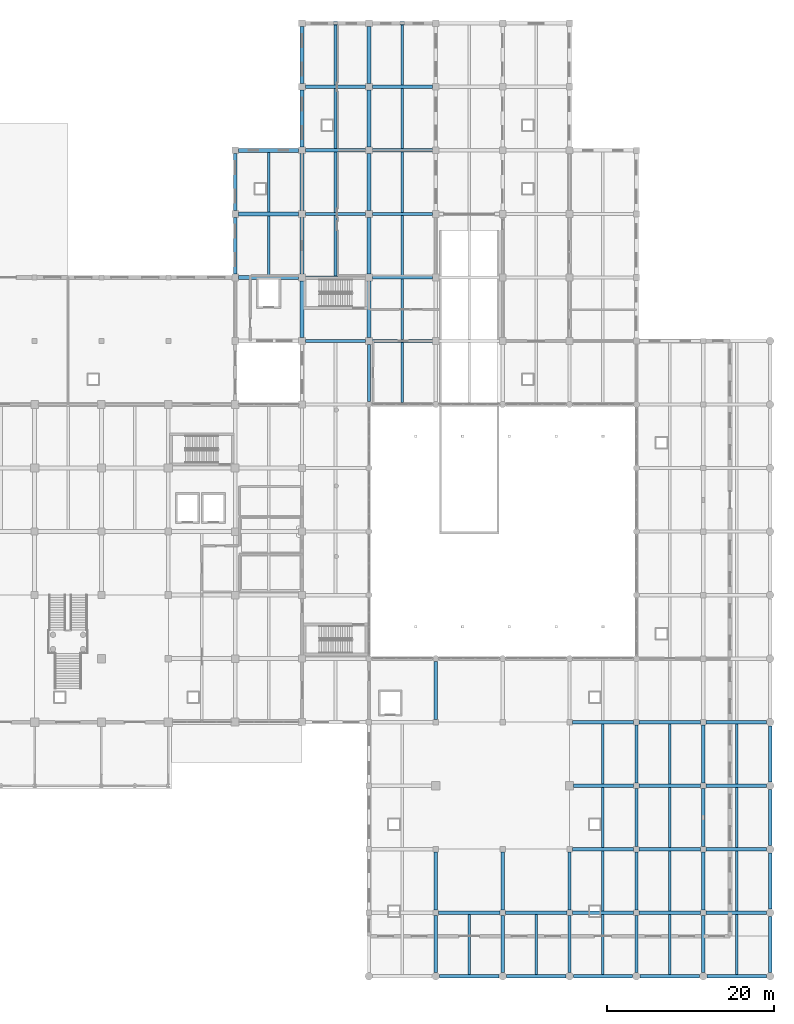
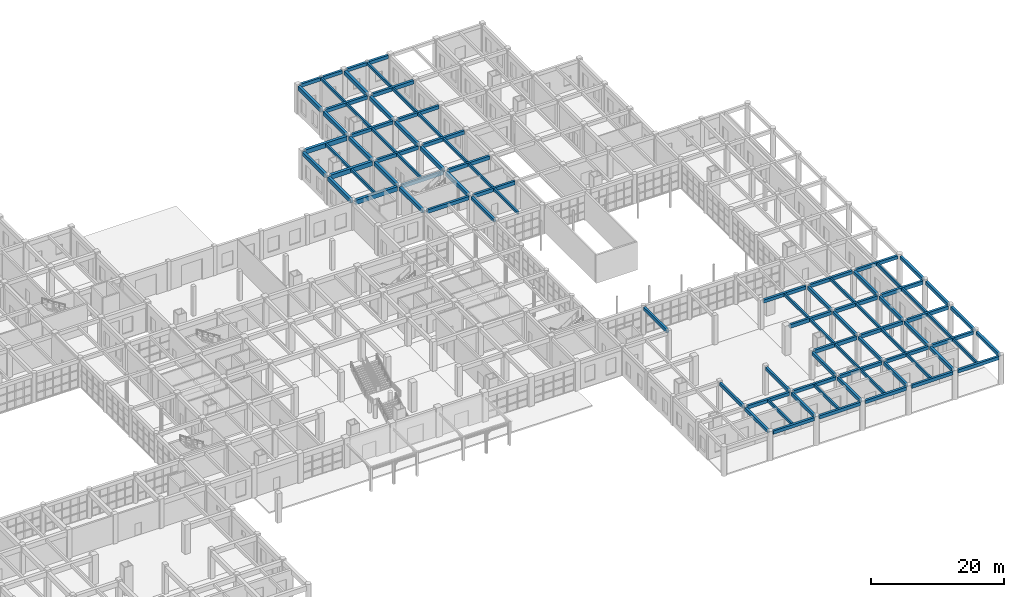
# One storey, part 48 of 95: 92 beams.
"""IFC4 building model written with IfcOpenShell, lengths in metres."""

from ifc_helpers import new_model, si_unit, direction, frame, origin, origin_2d, place, context, subcontext, project, spatial, rectangle, extrude, material, material_profile, profile_set, type_object, element, save


model = new_model("IFC4")

# Units and contexts
model_context = context("Model", 3, precision=1e-05, world=origin(), true_north=direction((0.0, 1.0)))
body_context = subcontext(model_context, "Body", "Model", "MODEL_VIEW")
ifc_project = project(units=[si_unit("LENGTHUNIT", "METRE"), si_unit("AREAUNIT", "SQUARE_METRE"), si_unit("VOLUMEUNIT", "CUBIC_METRE"), si_unit("PLANEANGLEUNIT", "RADIAN"), si_unit("MASSUNIT", "GRAM", prefix="KILO")], contexts=[model_context])

# Site, building, storey
site_placement = place(None, origin())
site = spatial("IfcSite", under=ifc_project, at=site_placement, CompositionType="ELEMENT")
building_placement = place(site_placement, origin())
building = spatial("IfcBuilding", under=site, at=building_placement, Name="Zantavel Square City Hall", CompositionType="ELEMENT")
storey_placement = place(building_placement, origin())
storey = spatial("IfcBuildingStorey", under=building, at=storey_placement, Name="L01", CompositionType="ELEMENT", Elevation=0.0)

# Beams
ifc_material = material(Name="Concrete C35/45", Category="concrete")
ifc_material_profile_1 = material_profile(ifc_material, rectangle(XDim=0.3798828125, YDim=0.580078125, at=origin_2d()), Name="RC 380x580")
ifc_profile_set_1 = profile_set([ifc_material_profile_1], Name="Concrete C35/45")
beam_type_1 = type_object("IfcBeamType", Name="Annex Secondary Beam RC 380x580 C35/45", PredefinedType="BEAM", material=ifc_profile_set_1)
beam_1_placement = place(storey_placement, frame((120.0, 68.77490234375, 4.8701171875), z_axis=(0.0, 1.0, 0.0), x_axis=(-1.0, 0.0, 0.0)))
element("IfcBeam", 1, at=beam_1_placement, inside=storey, type_object=beam_type_1, Name="L01 Beam BMY-L01-1200-0684", PredefinedType="BEAM", context=body_context, shape_type="SweptSolid", body=[
    extrude(rectangle(XDim=0.3798828125, YDim=0.580078125, at=origin_2d()), origin(), (0.0, 0.0, 1.0), 6.8251953125),
])
beam_2_placement = place(storey_placement, frame((128.0, 0.449951171875, 4.860107421875), z_axis=(0.0, 1.0, 0.0), x_axis=(-1.0, 0.0, 0.0)))
element("IfcBeam", 2, at=beam_2_placement, inside=storey, type_object=beam_type_1, Name="L01 Beam BMY-L01-1280-0000", PredefinedType="BEAM", context=body_context, shape_type="SweptSolid", body=[
    extrude(rectangle(XDim=0.3798828125, YDim=0.580078125, at=origin_2d()), origin(), (0.0, 0.0, 1.0), 6.824951171875),
])
beam_3_placement = place(storey_placement, frame((128.0, 7.925048828125, 4.8701171875), z_axis=(0.0, 1.0, 0.0), x_axis=(-1.0, 0.0, 0.0)))
element("IfcBeam", 3, at=beam_3_placement, inside=storey, type_object=beam_type_1, Name="L01 Beam BMY-L01-1280-0076", PredefinedType="BEAM", context=body_context, shape_type="SweptSolid", body=[
    extrude(rectangle(XDim=0.3798828125, YDim=0.580078125, at=origin_2d()), origin(), (0.0, 0.0, 1.0), 6.949951171875),
])
beam_4_placement = place(storey_placement, frame((128.0, 30.72509765625, 4.8701171875), z_axis=(0.0, 1.0, 0.0), x_axis=(-1.0, 0.0, 0.0)))
element("IfcBeam", 4, at=beam_4_placement, inside=storey, type_object=beam_type_1, Name="L01 Beam BMY-L01-1280-0304", PredefinedType="BEAM", context=body_context, shape_type="SweptSolid", body=[
    extrude(rectangle(XDim=0.3798828125, YDim=0.580078125, at=origin_2d()), origin(), (0.0, 0.0, 1.0), 6.89990234375),
])
beam_5_placement = place(storey_placement, frame((136.0, 0.449951171875, 4.860107421875), z_axis=(0.0, 1.0, 0.0), x_axis=(-1.0, 0.0, 0.0)))
element("IfcBeam", 5, at=beam_5_placement, inside=storey, type_object=beam_type_1, Name="L01 Beam BMY-L01-1360-0000", PredefinedType="BEAM", context=body_context, shape_type="SweptSolid", body=[
    extrude(rectangle(XDim=0.3798828125, YDim=0.580078125, at=origin_2d()), origin(), (0.0, 0.0, 1.0), 6.824951171875),
])
beam_6_placement = place(storey_placement, frame((136.0, 7.925048828125, 4.8701171875), z_axis=(0.0, 1.0, 0.0), x_axis=(-1.0, 0.0, 0.0)))
element("IfcBeam", 6, at=beam_6_placement, inside=storey, type_object=beam_type_1, Name="L01 Beam BMY-L01-1360-0076", PredefinedType="BEAM", context=body_context, shape_type="SweptSolid", body=[
    extrude(rectangle(XDim=0.3798828125, YDim=0.580078125, at=origin_2d()), origin(), (0.0, 0.0, 1.0), 6.949951171875),
])
beam_7_placement = place(storey_placement, frame((144.0, 0.449951171875, 4.860107421875), z_axis=(0.0, 1.0, 0.0), x_axis=(-1.0, 0.0, 0.0)))
element("IfcBeam", 7, at=beam_7_placement, inside=storey, type_object=beam_type_1, Name="L01 Beam BMY-L01-1440-0000", PredefinedType="BEAM", context=body_context, shape_type="SweptSolid", body=[
    extrude(rectangle(XDim=0.3798828125, YDim=0.580078125, at=origin_2d()), origin(), (0.0, 0.0, 1.0), 6.824951171875),
])
beam_8_placement = place(storey_placement, frame((144.0, 7.925048828125, 4.8701171875), z_axis=(0.0, 1.0, 0.0), x_axis=(-1.0, 0.0, 0.0)))
element("IfcBeam", 8, at=beam_8_placement, inside=storey, type_object=beam_type_1, Name="L01 Beam BMY-L01-1440-0076", PredefinedType="BEAM", context=body_context, shape_type="SweptSolid", body=[
    extrude(rectangle(XDim=0.3798828125, YDim=0.580078125, at=origin_2d()), origin(), (0.0, 0.0, 1.0), 6.949951171875),
])
beam_9_placement = place(storey_placement, frame((152.0, 0.449951171875, 4.860107421875), z_axis=(0.0, 1.0, 0.0), x_axis=(-1.0, 0.0, 0.0)))
element("IfcBeam", 9, at=beam_9_placement, inside=storey, type_object=beam_type_1, Name="L01 Beam BMY-L01-1520-0000", PredefinedType="BEAM", context=body_context, shape_type="SweptSolid", body=[
    extrude(rectangle(XDim=0.3798828125, YDim=0.580078125, at=origin_2d()), origin(), (0.0, 0.0, 1.0), 6.824951171875),
])
beam_10_placement = place(storey_placement, frame((152.0, 7.925048828125, 4.8701171875), z_axis=(0.0, 1.0, 0.0), x_axis=(-1.0, 0.0, 0.0)))
element("IfcBeam", 10, at=beam_10_placement, inside=storey, type_object=beam_type_1, Name="L01 Beam BMY-L01-1520-0076", PredefinedType="BEAM", context=body_context, shape_type="SweptSolid", body=[
    extrude(rectangle(XDim=0.3798828125, YDim=0.580078125, at=origin_2d()), origin(), (0.0, 0.0, 1.0), 6.949951171875),
])
beam_11_placement = place(storey_placement, frame((152.0, 15.52490234375, 4.8701171875), z_axis=(0.0, 1.0, 0.0), x_axis=(-1.0, 0.0, 0.0)))
element("IfcBeam", 11, at=beam_11_placement, inside=storey, type_object=beam_type_1, Name="L01 Beam BMY-L01-1520-0152", PredefinedType="BEAM", context=body_context, shape_type="SweptSolid", body=[
    extrude(rectangle(XDim=0.3798828125, YDim=0.580078125, at=origin_2d()), origin(), (0.0, 0.0, 1.0), 6.9501953125),
])
beam_12_placement = place(storey_placement, frame((152.0, 23.125, 4.8701171875), z_axis=(0.0, 1.0, 0.0), x_axis=(-1.0, 0.0, 0.0)))
element("IfcBeam", 12, at=beam_12_placement, inside=storey, type_object=beam_type_1, Name="L01 Beam BMY-L01-1520-0228", PredefinedType="BEAM", context=body_context, shape_type="SweptSolid", body=[
    extrude(rectangle(XDim=0.3798828125, YDim=0.580078125, at=origin_2d()), origin(), (0.0, 0.0, 1.0), 6.949951171875),
])
ifc_material_profile_2 = material_profile(ifc_material, rectangle(XDim=0.300048828125, YDim=0.5, at=origin_2d()), Name="RC 300x500")
ifc_profile_set_2 = profile_set([ifc_material_profile_2], Name="Concrete C35/45")
beam_type_2 = type_object("IfcBeamType", Name="Floor Joist RC 300x500 C35/45", PredefinedType="JOIST", material=ifc_profile_set_2)
beam_13_placement = place(storey_placement, frame((108.0, 83.85009765625, 4.909912109375), z_axis=(0.0, 1.0, 0.0), x_axis=(-1.0, 0.0, 0.0)))
element("IfcBeam", 13, at=beam_13_placement, inside=storey, type_object=beam_type_2, Name="L01 Floor Joist JST-L01-1080-0836", PredefinedType="JOIST", context=body_context, shape_type="SweptSolid", body=[
    extrude(rectangle(XDim=0.300048828125, YDim=0.5, at=origin_2d()), origin(), (0.0, 0.0, 1.0), 7.099853515625),
])
beam_14_placement = place(storey_placement, frame((108.0, 91.449951171875, 4.909912109375), z_axis=(0.0, 1.0, 0.0), x_axis=(-1.0, 0.0, 0.0)))
element("IfcBeam", 14, at=beam_14_placement, inside=storey, type_object=beam_type_2, Name="L01 Floor Joist JST-L01-1080-0912", PredefinedType="JOIST", context=body_context, shape_type="SweptSolid", body=[
    extrude(rectangle(XDim=0.300048828125, YDim=0.5, at=origin_2d()), origin(), (0.0, 0.0, 1.0), 7.10009765625),
])
beam_15_placement = place(storey_placement, frame((116.0, 83.800048828125, 4.909912109375), z_axis=(0.0, 1.0, 0.0), x_axis=(-1.0, 0.0, 0.0)))
element("IfcBeam", 15, at=beam_15_placement, inside=storey, type_object=beam_type_2, Name="L01 Floor Joist JST-L01-1160-0836", PredefinedType="JOIST", context=body_context, shape_type="SweptSolid", body=[
    extrude(rectangle(XDim=0.300048828125, YDim=0.5, at=origin_2d()), origin(), (0.0, 0.0, 1.0), 7.199951171875),
])
beam_16_placement = place(storey_placement, frame((116.0, 91.39990234375, 4.909912109375), z_axis=(0.0, 1.0, 0.0), x_axis=(-1.0, 0.0, 0.0)))
element("IfcBeam", 16, at=beam_16_placement, inside=storey, type_object=beam_type_2, Name="L01 Floor Joist JST-L01-1160-0912", PredefinedType="JOIST", context=body_context, shape_type="SweptSolid", body=[
    extrude(rectangle(XDim=0.300048828125, YDim=0.5, at=origin_2d()), origin(), (0.0, 0.0, 1.0), 7.2001953125),
])
for number, where, z_axis, x_axis, name in (
    (17, (116.0, 99.0, 4.909912109375), (0.0, 1.0, 0.0), (-1.0, 0.0, 0.0), "L01 Floor Joist JST-L01-1160-0988"),
    (18, (116.0, 106.60009765625, 4.909912109375), (0.0, 1.0, 0.0), (-1.0, 0.0, 0.0), "L01 Floor Joist JST-L01-1160-1064"),
):
    element("IfcBeam", number, at=place(storey_placement, frame(where, z_axis=z_axis, x_axis=x_axis)), inside=storey, type_object=beam_type_2, Name=name, PredefinedType="JOIST", context=body_context, shape_type="SweptSolid", body=[
        extrude(rectangle(XDim=0.300048828125, YDim=0.5, at=origin_2d()), origin(), (0.0, 0.0, 1.0), 7.199951171875),
    ])
beam_17_placement = place(storey_placement, frame((124.0, 68.625, 4.909912109375), z_axis=(0.0, 1.0, 0.0), x_axis=(-1.0, 0.0, 0.0)))
element("IfcBeam", 19, at=beam_17_placement, inside=storey, type_object=beam_type_2, Name="L01 Floor Joist JST-L01-1240-0684", PredefinedType="JOIST", context=body_context, shape_type="SweptSolid", body=[
    extrude(rectangle(XDim=0.300048828125, YDim=0.5, at=origin_2d()), origin(), (0.0, 0.0, 1.0), 7.175048828125),
])
for number, where, z_axis, x_axis, name in (
    (20, (124.0, 76.199951171875, 4.909912109375), (0.0, 1.0, 0.0), (-1.0, 0.0, 0.0), "L01 Floor Joist JST-L01-1240-0760"),
    (21, (124.0, 83.800048828125, 4.909912109375), (0.0, 1.0, 0.0), (-1.0, 0.0, 0.0), "L01 Floor Joist JST-L01-1240-0836"),
):
    element("IfcBeam", number, at=place(storey_placement, frame(where, z_axis=z_axis, x_axis=x_axis)), inside=storey, type_object=beam_type_2, Name=name, PredefinedType="JOIST", context=body_context, shape_type="SweptSolid", body=[
        extrude(rectangle(XDim=0.300048828125, YDim=0.5, at=origin_2d()), origin(), (0.0, 0.0, 1.0), 7.199951171875),
    ])
beam_18_placement = place(storey_placement, frame((124.0, 91.39990234375, 4.909912109375), z_axis=(0.0, 1.0, 0.0), x_axis=(-1.0, 0.0, 0.0)))
element("IfcBeam", 22, at=beam_18_placement, inside=storey, type_object=beam_type_2, Name="L01 Floor Joist JST-L01-1240-0912", PredefinedType="JOIST", context=body_context, shape_type="SweptSolid", body=[
    extrude(rectangle(XDim=0.300048828125, YDim=0.5, at=origin_2d()), origin(), (0.0, 0.0, 1.0), 7.2001953125),
])
for number, where, z_axis, x_axis, name in (
    (23, (124.0, 99.0, 4.909912109375), (0.0, 1.0, 0.0), (-1.0, 0.0, 0.0), "L01 Floor Joist JST-L01-1240-0988"),
    (24, (124.0, 106.60009765625, 4.909912109375), (0.0, 1.0, 0.0), (-1.0, 0.0, 0.0), "L01 Floor Joist JST-L01-1240-1064"),
    (25, (132.0, 0.199951171875, 4.89990234375), (0.0, 1.0, 0.0), (-1.0, 0.0, 0.0), "L01 Floor Joist JST-L01-1320-0000"),
    (26, (140.0, 0.199951171875, 4.89990234375), (0.0, 1.0, 0.0), (-1.0, 0.0, 0.0), "L01 Floor Joist JST-L01-1400-0000"),
    (27, (148.0, 0.199951171875, 4.89990234375), (0.0, 1.0, 0.0), (-1.0, 0.0, 0.0), "L01 Floor Joist JST-L01-1480-0000"),
    (28, (148.0, 7.800048828125, 4.909912109375), (0.0, 1.0, 0.0), (-1.0, 0.0, 0.0), "L01 Floor Joist JST-L01-1480-0076"),
):
    element("IfcBeam", number, at=place(storey_placement, frame(where, z_axis=z_axis, x_axis=x_axis)), inside=storey, type_object=beam_type_2, Name=name, PredefinedType="JOIST", context=body_context, shape_type="SweptSolid", body=[
        extrude(rectangle(XDim=0.300048828125, YDim=0.5, at=origin_2d()), origin(), (0.0, 0.0, 1.0), 7.199951171875),
    ])
beam_19_placement = place(storey_placement, frame((148.0, 15.39990234375, 4.909912109375), z_axis=(0.0, 1.0, 0.0), x_axis=(-1.0, 0.0, 0.0)))
element("IfcBeam", 29, at=beam_19_placement, inside=storey, type_object=beam_type_2, Name="L01 Floor Joist JST-L01-1480-0152", PredefinedType="JOIST", context=body_context, shape_type="SweptSolid", body=[
    extrude(rectangle(XDim=0.300048828125, YDim=0.5, at=origin_2d()), origin(), (0.0, 0.0, 1.0), 7.2001953125),
])
for number, where, z_axis, x_axis, name in (
    (30, (148.0, 23.0, 4.909912109375), (0.0, 1.0, 0.0), (-1.0, 0.0, 0.0), "L01 Floor Joist JST-L01-1480-0228"),
    (31, (156.0, 0.199951171875, 4.89990234375), (0.0, 1.0, 0.0), (-1.0, 0.0, 0.0), "L01 Floor Joist JST-L01-1560-0000"),
    (32, (156.0, 7.800048828125, 4.909912109375), (0.0, 1.0, 0.0), (-1.0, 0.0, 0.0), "L01 Floor Joist JST-L01-1560-0076"),
):
    element("IfcBeam", number, at=place(storey_placement, frame(where, z_axis=z_axis, x_axis=x_axis)), inside=storey, type_object=beam_type_2, Name=name, PredefinedType="JOIST", context=body_context, shape_type="SweptSolid", body=[
        extrude(rectangle(XDim=0.300048828125, YDim=0.5, at=origin_2d()), origin(), (0.0, 0.0, 1.0), 7.199951171875),
    ])
beam_20_placement = place(storey_placement, frame((156.0, 15.39990234375, 4.909912109375), z_axis=(0.0, 1.0, 0.0), x_axis=(-1.0, 0.0, 0.0)))
element("IfcBeam", 33, at=beam_20_placement, inside=storey, type_object=beam_type_2, Name="L01 Floor Joist JST-L01-1560-0152", PredefinedType="JOIST", context=body_context, shape_type="SweptSolid", body=[
    extrude(rectangle(XDim=0.300048828125, YDim=0.5, at=origin_2d()), origin(), (0.0, 0.0, 1.0), 7.2001953125),
])
for number, where, z_axis, x_axis, name in (
    (34, (156.0, 23.0, 4.909912109375), (0.0, 1.0, 0.0), (-1.0, 0.0, 0.0), "L01 Floor Joist JST-L01-1560-0228"),
    (35, (164.0, 0.199951171875, 4.89990234375), (0.0, 1.0, 0.0), (-1.0, 0.0, 0.0), "L01 Floor Joist JST-L01-1640-0000"),
    (36, (164.0, 7.800048828125, 4.89990234375), (0.0, 1.0, 0.0), (-1.0, 0.0, 0.0), "L01 Floor Joist JST-L01-1640-0076"),
):
    element("IfcBeam", number, at=place(storey_placement, frame(where, z_axis=z_axis, x_axis=x_axis)), inside=storey, type_object=beam_type_2, Name=name, PredefinedType="JOIST", context=body_context, shape_type="SweptSolid", body=[
        extrude(rectangle(XDim=0.300048828125, YDim=0.5, at=origin_2d()), origin(), (0.0, 0.0, 1.0), 7.199951171875),
    ])
beam_21_placement = place(storey_placement, frame((164.0, 15.39990234375, 4.89990234375), z_axis=(0.0, 1.0, 0.0), x_axis=(-1.0, 0.0, 0.0)))
element("IfcBeam", 37, at=beam_21_placement, inside=storey, type_object=beam_type_2, Name="L01 Floor Joist JST-L01-1640-0152", PredefinedType="JOIST", context=body_context, shape_type="SweptSolid", body=[
    extrude(rectangle(XDim=0.300048828125, YDim=0.5, at=origin_2d()), origin(), (0.0, 0.0, 1.0), 7.2001953125),
])
beam_22_placement = place(storey_placement, frame((164.0, 23.0, 4.89990234375), z_axis=(0.0, 1.0, 0.0), x_axis=(-1.0, 0.0, 0.0)))
element("IfcBeam", 38, at=beam_22_placement, inside=storey, type_object=beam_type_2, Name="L01 Floor Joist JST-L01-1640-0228", PredefinedType="JOIST", context=body_context, shape_type="SweptSolid", body=[
    extrude(rectangle(XDim=0.300048828125, YDim=0.5, at=origin_2d()), origin(), (0.0, 0.0, 1.0), 7.199951171875),
])
ifc_material_profile_3 = material_profile(ifc_material, rectangle(XDim=0.39990234375, YDim=0.64990234375, at=origin_2d()), Name="RC 400x650")
ifc_profile_set_3 = profile_set([ifc_material_profile_3], Name="Concrete C35/45")
beam_type_3 = type_object("IfcBeamType", Name="Frame Beam RC 400x650 C35/45", PredefinedType="BEAM", material=ifc_profile_set_3)
for number, where, z_axis, x_axis, name in (
    (39, (112.39990234375, 76.0, 4.8349609375), (1.0, 0.0, 0.0), (0.0, 1.0, 0.0), "L01 Girder BMX-L01-1120-0760"),
    (40, (112.39990234375, 83.60009765625, 4.8349609375), (1.0, 0.0, 0.0), (0.0, 1.0, 0.0), "L01 Girder BMX-L01-1120-0836"),
    (41, (112.39990234375, 91.199951171875, 4.8349609375), (1.0, 0.0, 0.0), (0.0, 1.0, 0.0), "L01 Girder BMX-L01-1120-0912"),
    (42, (112.39990234375, 106.39990234375, 4.8349609375), (1.0, 0.0, 0.0), (0.0, 1.0, 0.0), "L01 Girder BMX-L01-1120-1064"),
    (43, (120.39990234375, 76.0, 4.8349609375), (1.0, 0.0, 0.0), (0.0, 1.0, 0.0), "L01 Girder BMX-L01-1200-0760"),
    (44, (120.39990234375, 83.60009765625, 4.8349609375), (1.0, 0.0, 0.0), (0.0, 1.0, 0.0), "L01 Girder BMX-L01-1200-0836"),
    (45, (120.39990234375, 91.199951171875, 4.8349609375), (1.0, 0.0, 0.0), (0.0, 1.0, 0.0), "L01 Girder BMX-L01-1200-0912"),
    (46, (120.39990234375, 106.39990234375, 4.8349609375), (1.0, 0.0, 0.0), (0.0, 1.0, 0.0), "L01 Girder BMX-L01-1200-1064"),
):
    element("IfcBeam", number, at=place(storey_placement, frame(where, z_axis=z_axis, x_axis=x_axis)), inside=storey, type_object=beam_type_3, Name=name, PredefinedType="BEAM", context=body_context, shape_type="SweptSolid", body=[
        extrude(rectangle(XDim=0.39990234375, YDim=0.64990234375, at=origin_2d()), origin(), (0.0, 0.0, 1.0), 7.2001953125),
    ])
beam_23_placement = place(storey_placement, frame((144.324951171875, 15.199951171875, 4.8349609375), z_axis=(1.0, 0.0, 0.0), x_axis=(0.0, 1.0, 0.0)))
element("IfcBeam", 47, at=beam_23_placement, inside=storey, type_object=beam_type_3, Name="L01 Girder BMX-L01-1440-0152", PredefinedType="BEAM", context=body_context, shape_type="SweptSolid", body=[
    extrude(rectangle(XDim=0.39990234375, YDim=0.64990234375, at=origin_2d()), origin(), (0.0, 0.0, 1.0), 7.35009765625),
])
beam_24_placement = place(storey_placement, frame((144.5, 22.800048828125, 4.8349609375), z_axis=(1.0, 0.0, 0.0), x_axis=(0.0, 1.0, 0.0)))
element("IfcBeam", 48, at=beam_24_placement, inside=storey, type_object=beam_type_3, Name="L01 Girder BMX-L01-1440-0228", PredefinedType="BEAM", context=body_context, shape_type="SweptSolid", body=[
    extrude(rectangle(XDim=0.39990234375, YDim=0.64990234375, at=origin_2d()), origin(), (0.0, 0.0, 1.0), 7.175048828125),
])
for number, where, z_axis, x_axis, name in (
    (49, (152.324951171875, 15.199951171875, 4.8349609375), (1.0, 0.0, 0.0), (0.0, 1.0, 0.0), "L01 Girder BMX-L01-1520-0152"),
    (50, (152.324951171875, 22.800048828125, 4.8349609375), (1.0, 0.0, 0.0), (0.0, 1.0, 0.0), "L01 Girder BMX-L01-1520-0228"),
):
    element("IfcBeam", number, at=place(storey_placement, frame(where, z_axis=z_axis, x_axis=x_axis)), inside=storey, type_object=beam_type_3, Name=name, PredefinedType="BEAM", context=body_context, shape_type="SweptSolid", body=[
        extrude(rectangle(XDim=0.39990234375, YDim=0.64990234375, at=origin_2d()), origin(), (0.0, 0.0, 1.0), 7.35009765625),
    ])
for number, where, z_axis, x_axis, name in (
    (51, (160.324951171875, 15.199951171875, 4.824951171875), (1.0, 0.0, 0.0), (0.0, 1.0, 0.0), "L01 Girder BMX-L01-1600-0152"),
    (52, (160.324951171875, 22.800048828125, 4.824951171875), (1.0, 0.0, 0.0), (0.0, 1.0, 0.0), "L01 Girder BMX-L01-1600-0228"),
):
    element("IfcBeam", number, at=place(storey_placement, frame(where, z_axis=z_axis, x_axis=x_axis)), inside=storey, type_object=beam_type_3, Name=name, PredefinedType="BEAM", context=body_context, shape_type="SweptSolid", body=[
        extrude(rectangle(XDim=0.39990234375, YDim=0.64990234375, at=origin_2d()), origin(), (0.0, 0.0, 1.0), 7.22509765625),
    ])
ifc_material_profile_4 = material_profile(ifc_material, rectangle(XDim=0.39990234375, YDim=0.60009765625, at=origin_2d()), Name="RC 400x600")
ifc_profile_set_4 = profile_set([ifc_material_profile_4], Name="Concrete C35/45")
beam_type_4 = type_object("IfcBeamType", Name="Perimeter Spandrel RC 400x600 C35/45", PredefinedType="SPANDREL", material=ifc_profile_set_4)
for number, where, z_axis, x_axis, name in (
    (53, (112.39990234375, 98.800048828125, 4.860107421875), (1.0, 0.0, 0.0), (0.0, 1.0, 0.0), "L01 Girder BMX-L01-1120-0988"),
    (54, (112.39990234375, 114.0, 4.860107421875), (1.0, 0.0, 0.0), (0.0, 1.0, 0.0), "L01 Girder BMX-L01-1120-1140"),
    (55, (120.39990234375, 98.800048828125, 4.860107421875), (1.0, 0.0, 0.0), (0.0, 1.0, 0.0), "L01 Girder BMX-L01-1200-0988"),
    (56, (120.39990234375, 114.0, 4.860107421875), (1.0, 0.0, 0.0), (0.0, 1.0, 0.0), "L01 Girder BMX-L01-1200-1140"),
):
    element("IfcBeam", number, at=place(storey_placement, frame(where, z_axis=z_axis, x_axis=x_axis)), inside=storey, type_object=beam_type_4, Name=name, PredefinedType="SPANDREL", context=body_context, shape_type="SweptSolid", body=[
        extrude(rectangle(XDim=0.39990234375, YDim=0.60009765625, at=origin_2d()), origin(), (0.0, 0.0, 1.0), 7.2001953125),
    ])
beam_25_placement = place(storey_placement, frame((128.449951171875, 0.0, 4.85009765625), z_axis=(1.0, 0.0, 0.0), x_axis=(0.0, 1.0, 0.0)))
element("IfcBeam", 57, at=beam_25_placement, inside=storey, type_object=beam_type_4, Name="L01 Girder BMX-L01-1280-0000", PredefinedType="SPANDREL", context=body_context, shape_type="SweptSolid", body=[
    extrude(rectangle(XDim=0.39990234375, YDim=0.60009765625, at=origin_2d()), origin(), (0.0, 0.0, 1.0), 7.10009765625),
])
beam_26_placement = place(storey_placement, frame((128.324951171875, 7.60009765625, 4.860107421875), z_axis=(1.0, 0.0, 0.0), x_axis=(0.0, 1.0, 0.0)))
element("IfcBeam", 58, at=beam_26_placement, inside=storey, type_object=beam_type_4, Name="L01 Girder BMX-L01-1280-0076", PredefinedType="SPANDREL", context=body_context, shape_type="SweptSolid", body=[
    extrude(rectangle(XDim=0.39990234375, YDim=0.60009765625, at=origin_2d()), origin(), (0.0, 0.0, 1.0), 7.35009765625),
])
beam_27_placement = place(storey_placement, frame((136.449951171875, 0.0, 4.85009765625), z_axis=(1.0, 0.0, 0.0), x_axis=(0.0, 1.0, 0.0)))
element("IfcBeam", 59, at=beam_27_placement, inside=storey, type_object=beam_type_4, Name="L01 Girder BMX-L01-1360-0000", PredefinedType="SPANDREL", context=body_context, shape_type="SweptSolid", body=[
    extrude(rectangle(XDim=0.39990234375, YDim=0.60009765625, at=origin_2d()), origin(), (0.0, 0.0, 1.0), 7.10009765625),
])
beam_28_placement = place(storey_placement, frame((136.324951171875, 7.60009765625, 4.860107421875), z_axis=(1.0, 0.0, 0.0), x_axis=(0.0, 1.0, 0.0)))
element("IfcBeam", 60, at=beam_28_placement, inside=storey, type_object=beam_type_4, Name="L01 Girder BMX-L01-1360-0076", PredefinedType="SPANDREL", context=body_context, shape_type="SweptSolid", body=[
    extrude(rectangle(XDim=0.39990234375, YDim=0.60009765625, at=origin_2d()), origin(), (0.0, 0.0, 1.0), 7.35009765625),
])
beam_29_placement = place(storey_placement, frame((144.449951171875, 0.0, 4.85009765625), z_axis=(1.0, 0.0, 0.0), x_axis=(0.0, 1.0, 0.0)))
element("IfcBeam", 61, at=beam_29_placement, inside=storey, type_object=beam_type_4, Name="L01 Girder BMX-L01-1440-0000", PredefinedType="SPANDREL", context=body_context, shape_type="SweptSolid", body=[
    extrude(rectangle(XDim=0.39990234375, YDim=0.60009765625, at=origin_2d()), origin(), (0.0, 0.0, 1.0), 7.10009765625),
])
for number, where, z_axis, x_axis, name in (
    (62, (144.324951171875, 7.60009765625, 4.860107421875), (1.0, 0.0, 0.0), (0.0, 1.0, 0.0), "L01 Girder BMX-L01-1440-0076"),
    (63, (144.324951171875, 30.39990234375, 4.860107421875), (1.0, 0.0, 0.0), (0.0, 1.0, 0.0), "L01 Girder BMX-L01-1440-0304"),
):
    element("IfcBeam", number, at=place(storey_placement, frame(where, z_axis=z_axis, x_axis=x_axis)), inside=storey, type_object=beam_type_4, Name=name, PredefinedType="SPANDREL", context=body_context, shape_type="SweptSolid", body=[
        extrude(rectangle(XDim=0.39990234375, YDim=0.60009765625, at=origin_2d()), origin(), (0.0, 0.0, 1.0), 7.35009765625),
    ])
beam_30_placement = place(storey_placement, frame((152.449951171875, 0.0, 4.85009765625), z_axis=(1.0, 0.0, 0.0), x_axis=(0.0, 1.0, 0.0)))
element("IfcBeam", 64, at=beam_30_placement, inside=storey, type_object=beam_type_4, Name="L01 Girder BMX-L01-1520-0000", PredefinedType="SPANDREL", context=body_context, shape_type="SweptSolid", body=[
    extrude(rectangle(XDim=0.39990234375, YDim=0.60009765625, at=origin_2d()), origin(), (0.0, 0.0, 1.0), 7.10009765625),
])
for number, where, z_axis, x_axis, name in (
    (65, (152.324951171875, 7.60009765625, 4.860107421875), (1.0, 0.0, 0.0), (0.0, 1.0, 0.0), "L01 Girder BMX-L01-1520-0076"),
    (66, (152.324951171875, 30.39990234375, 4.860107421875), (1.0, 0.0, 0.0), (0.0, 1.0, 0.0), "L01 Girder BMX-L01-1520-0304"),
):
    element("IfcBeam", number, at=place(storey_placement, frame(where, z_axis=z_axis, x_axis=x_axis)), inside=storey, type_object=beam_type_4, Name=name, PredefinedType="SPANDREL", context=body_context, shape_type="SweptSolid", body=[
        extrude(rectangle(XDim=0.39990234375, YDim=0.60009765625, at=origin_2d()), origin(), (0.0, 0.0, 1.0), 7.35009765625),
    ])
beam_31_placement = place(storey_placement, frame((160.449951171875, 0.0, 4.85009765625), z_axis=(1.0, 0.0, 0.0), x_axis=(0.0, 1.0, 0.0)))
element("IfcBeam", 67, at=beam_31_placement, inside=storey, type_object=beam_type_4, Name="L01 Girder BMX-L01-1600-0000", PredefinedType="SPANDREL", context=body_context, shape_type="SweptSolid", body=[
    extrude(rectangle(XDim=0.39990234375, YDim=0.60009765625, at=origin_2d()), origin(), (0.0, 0.0, 1.0), 7.10009765625),
])
beam_32_placement = place(storey_placement, frame((160.0, 0.449951171875, 4.85009765625), z_axis=(0.0, 1.0, 0.0), x_axis=(-1.0, 0.0, 0.0)))
element("IfcBeam", 68, at=beam_32_placement, inside=storey, type_object=beam_type_4, Name="L01 Beam BMY-L01-1600-0000", PredefinedType="SPANDREL", context=body_context, shape_type="SweptSolid", body=[
    extrude(rectangle(XDim=0.39990234375, YDim=0.60009765625, at=origin_2d()), origin(), (0.0, 0.0, 1.0), 6.824951171875),
])
beam_33_placement = place(storey_placement, frame((160.324951171875, 7.60009765625, 4.85009765625), z_axis=(1.0, 0.0, 0.0), x_axis=(0.0, 1.0, 0.0)))
element("IfcBeam", 69, at=beam_33_placement, inside=storey, type_object=beam_type_4, Name="L01 Girder BMX-L01-1600-0076", PredefinedType="SPANDREL", context=body_context, shape_type="SweptSolid", body=[
    extrude(rectangle(XDim=0.39990234375, YDim=0.60009765625, at=origin_2d()), origin(), (0.0, 0.0, 1.0), 7.22509765625),
])
beam_34_placement = place(storey_placement, frame((160.0, 7.925048828125, 4.860107421875), z_axis=(0.0, 1.0, 0.0), x_axis=(-1.0, 0.0, 0.0)))
element("IfcBeam", 70, at=beam_34_placement, inside=storey, type_object=beam_type_4, Name="L01 Beam BMY-L01-1600-0076", PredefinedType="SPANDREL", context=body_context, shape_type="SweptSolid", body=[
    extrude(rectangle(XDim=0.39990234375, YDim=0.60009765625, at=origin_2d()), origin(), (0.0, 0.0, 1.0), 6.949951171875),
])
beam_35_placement = place(storey_placement, frame((160.0, 15.52490234375, 4.860107421875), z_axis=(0.0, 1.0, 0.0), x_axis=(-1.0, 0.0, 0.0)))
element("IfcBeam", 71, at=beam_35_placement, inside=storey, type_object=beam_type_4, Name="L01 Beam BMY-L01-1600-0152", PredefinedType="SPANDREL", context=body_context, shape_type="SweptSolid", body=[
    extrude(rectangle(XDim=0.39990234375, YDim=0.60009765625, at=origin_2d()), origin(), (0.0, 0.0, 1.0), 6.9501953125),
])
beam_36_placement = place(storey_placement, frame((160.0, 23.125, 4.860107421875), z_axis=(0.0, 1.0, 0.0), x_axis=(-1.0, 0.0, 0.0)))
element("IfcBeam", 72, at=beam_36_placement, inside=storey, type_object=beam_type_4, Name="L01 Beam BMY-L01-1600-0228", PredefinedType="SPANDREL", context=body_context, shape_type="SweptSolid", body=[
    extrude(rectangle(XDim=0.39990234375, YDim=0.60009765625, at=origin_2d()), origin(), (0.0, 0.0, 1.0), 6.949951171875),
])
beam_37_placement = place(storey_placement, frame((160.324951171875, 30.39990234375, 4.85009765625), z_axis=(1.0, 0.0, 0.0), x_axis=(0.0, 1.0, 0.0)))
element("IfcBeam", 73, at=beam_37_placement, inside=storey, type_object=beam_type_4, Name="L01 Girder BMX-L01-1600-0304", PredefinedType="SPANDREL", context=body_context, shape_type="SweptSolid", body=[
    extrude(rectangle(XDim=0.39990234375, YDim=0.60009765625, at=origin_2d()), origin(), (0.0, 0.0, 1.0), 7.22509765625),
])
for number, where, z_axis, x_axis, name in (
    (74, (168.0, 0.449951171875, 4.85009765625), (0.0, 1.0, 0.0), (-1.0, 0.0, 0.0), "L01 Beam BMY-L01-1680-0000"),
    (75, (168.0, 8.050048828125, 4.85009765625), (0.0, 1.0, 0.0), (-1.0, 0.0, 0.0), "L01 Beam BMY-L01-1680-0076"),
):
    element("IfcBeam", number, at=place(storey_placement, frame(where, z_axis=z_axis, x_axis=x_axis)), inside=storey, type_object=beam_type_4, Name=name, PredefinedType="SPANDREL", context=body_context, shape_type="SweptSolid", body=[
        extrude(rectangle(XDim=0.39990234375, YDim=0.60009765625, at=origin_2d()), origin(), (0.0, 0.0, 1.0), 6.699951171875),
    ])
beam_38_placement = place(storey_placement, frame((168.0, 15.64990234375, 4.85009765625), z_axis=(0.0, 1.0, 0.0), x_axis=(-1.0, 0.0, 0.0)))
element("IfcBeam", 76, at=beam_38_placement, inside=storey, type_object=beam_type_4, Name="L01 Beam BMY-L01-1680-0152", PredefinedType="SPANDREL", context=body_context, shape_type="SweptSolid", body=[
    extrude(rectangle(XDim=0.39990234375, YDim=0.60009765625, at=origin_2d()), origin(), (0.0, 0.0, 1.0), 6.7001953125),
])
beam_39_placement = place(storey_placement, frame((168.0, 23.25, 4.85009765625), z_axis=(0.0, 1.0, 0.0), x_axis=(-1.0, 0.0, 0.0)))
element("IfcBeam", 77, at=beam_39_placement, inside=storey, type_object=beam_type_4, Name="L01 Beam BMY-L01-1680-0228", PredefinedType="SPANDREL", context=body_context, shape_type="SweptSolid", body=[
    extrude(rectangle(XDim=0.39990234375, YDim=0.60009765625, at=origin_2d()), origin(), (0.0, 0.0, 1.0), 6.699951171875),
])
ifc_material_profile_5 = material_profile(ifc_material, rectangle(XDim=0.449951171875, YDim=0.699951171875, at=origin_2d()), Name="RC 450x700")
ifc_profile_set_5 = profile_set([ifc_material_profile_5], Name="Concrete C35/45")
beam_type_5 = type_object("IfcBeamType", Name="Primary Girder RC 450x700 C35/45", PredefinedType="BEAM", material=ifc_profile_set_5)
beam_40_placement = place(storey_placement, frame((104.0, 84.0, 4.81005859375), z_axis=(0.0, 1.0, 0.0), x_axis=(-1.0, 0.0, 0.0)))
element("IfcBeam", 78, at=beam_40_placement, inside=storey, type_object=beam_type_5, Name="L01 Beam BMY-L01-1040-0836", PredefinedType="BEAM", context=body_context, shape_type="SweptSolid", body=[
    extrude(rectangle(XDim=0.449951171875, YDim=0.699951171875, at=origin_2d()), origin(), (0.0, 0.0, 1.0), 6.800048828125),
])
beam_41_placement = place(storey_placement, frame((104.0, 91.60009765625, 4.81005859375), z_axis=(0.0, 1.0, 0.0), x_axis=(-1.0, 0.0, 0.0)))
element("IfcBeam", 79, at=beam_41_placement, inside=storey, type_object=beam_type_5, Name="L01 Beam BMY-L01-1040-0912", PredefinedType="BEAM", context=body_context, shape_type="SweptSolid", body=[
    extrude(rectangle(XDim=0.449951171875, YDim=0.699951171875, at=origin_2d()), origin(), (0.0, 0.0, 1.0), 6.7998046875),
])
for number, where, z_axis, x_axis, name in (
    (80, (112.0, 76.39990234375, 4.81005859375), (0.0, 1.0, 0.0), (-1.0, 0.0, 0.0), "L01 Beam BMY-L01-1120-0760"),
    (81, (112.0, 84.0, 4.81005859375), (0.0, 1.0, 0.0), (-1.0, 0.0, 0.0), "L01 Beam BMY-L01-1120-0836"),
):
    element("IfcBeam", number, at=place(storey_placement, frame(where, z_axis=z_axis, x_axis=x_axis)), inside=storey, type_object=beam_type_5, Name=name, PredefinedType="BEAM", context=body_context, shape_type="SweptSolid", body=[
        extrude(rectangle(XDim=0.449951171875, YDim=0.699951171875, at=origin_2d()), origin(), (0.0, 0.0, 1.0), 6.800048828125),
    ])
beam_42_placement = place(storey_placement, frame((112.0, 91.60009765625, 4.81005859375), z_axis=(0.0, 1.0, 0.0), x_axis=(-1.0, 0.0, 0.0)))
element("IfcBeam", 82, at=beam_42_placement, inside=storey, type_object=beam_type_5, Name="L01 Beam BMY-L01-1120-0912", PredefinedType="BEAM", context=body_context, shape_type="SweptSolid", body=[
    extrude(rectangle(XDim=0.449951171875, YDim=0.699951171875, at=origin_2d()), origin(), (0.0, 0.0, 1.0), 6.7998046875),
])
for number, where, z_axis, x_axis, name in (
    (83, (112.0, 99.199951171875, 4.81005859375), (0.0, 1.0, 0.0), (-1.0, 0.0, 0.0), "L01 Beam BMY-L01-1120-0988"),
    (84, (112.0, 106.800048828125, 4.81005859375), (0.0, 1.0, 0.0), (-1.0, 0.0, 0.0), "L01 Beam BMY-L01-1120-1064"),
    (85, (120.0, 76.39990234375, 4.81005859375), (0.0, 1.0, 0.0), (-1.0, 0.0, 0.0), "L01 Beam BMY-L01-1200-0760"),
    (86, (120.0, 84.0, 4.81005859375), (0.0, 1.0, 0.0), (-1.0, 0.0, 0.0), "L01 Beam BMY-L01-1200-0836"),
):
    element("IfcBeam", number, at=place(storey_placement, frame(where, z_axis=z_axis, x_axis=x_axis)), inside=storey, type_object=beam_type_5, Name=name, PredefinedType="BEAM", context=body_context, shape_type="SweptSolid", body=[
        extrude(rectangle(XDim=0.449951171875, YDim=0.699951171875, at=origin_2d()), origin(), (0.0, 0.0, 1.0), 6.800048828125),
    ])
beam_43_placement = place(storey_placement, frame((120.0, 91.60009765625, 4.81005859375), z_axis=(0.0, 1.0, 0.0), x_axis=(-1.0, 0.0, 0.0)))
element("IfcBeam", 87, at=beam_43_placement, inside=storey, type_object=beam_type_5, Name="L01 Beam BMY-L01-1200-0912", PredefinedType="BEAM", context=body_context, shape_type="SweptSolid", body=[
    extrude(rectangle(XDim=0.449951171875, YDim=0.699951171875, at=origin_2d()), origin(), (0.0, 0.0, 1.0), 6.7998046875),
])
for number, where, z_axis, x_axis, name in (
    (88, (120.0, 99.199951171875, 4.81005859375), (0.0, 1.0, 0.0), (-1.0, 0.0, 0.0), "L01 Beam BMY-L01-1200-0988"),
    (89, (120.0, 106.800048828125, 4.81005859375), (0.0, 1.0, 0.0), (-1.0, 0.0, 0.0), "L01 Beam BMY-L01-1200-1064"),
):
    element("IfcBeam", number, at=place(storey_placement, frame(where, z_axis=z_axis, x_axis=x_axis)), inside=storey, type_object=beam_type_5, Name=name, PredefinedType="BEAM", context=body_context, shape_type="SweptSolid", body=[
        extrude(rectangle(XDim=0.449951171875, YDim=0.699951171875, at=origin_2d()), origin(), (0.0, 0.0, 1.0), 6.800048828125),
    ])
ifc_material_profile_6 = material_profile(ifc_material, rectangle(XDim=0.5, YDim=0.800048828125, at=origin_2d()), Name="RC 500x800")
ifc_profile_set_6 = profile_set([ifc_material_profile_6], Name="Concrete C35/45")
beam_type_6 = type_object("IfcBeamType", Name="Primary Girder RC 500x800 C35/45", PredefinedType="BEAM", material=ifc_profile_set_6)
for number, where, z_axis, x_axis, name in (
    (90, (104.39990234375, 83.60009765625, 4.760009765625), (1.0, 0.0, 0.0), (0.0, 1.0, 0.0), "L01 Girder BMX-L01-1040-0836"),
    (91, (104.39990234375, 91.199951171875, 4.760009765625), (1.0, 0.0, 0.0), (0.0, 1.0, 0.0), "L01 Girder BMX-L01-1040-0912"),
    (92, (104.39990234375, 98.800048828125, 4.760009765625), (1.0, 0.0, 0.0), (0.0, 1.0, 0.0), "L01 Girder BMX-L01-1040-0988"),
):
    element("IfcBeam", number, at=place(storey_placement, frame(where, z_axis=z_axis, x_axis=x_axis)), inside=storey, type_object=beam_type_6, Name=name, PredefinedType="BEAM", context=body_context, shape_type="SweptSolid", body=[
        extrude(rectangle(XDim=0.5, YDim=0.800048828125, at=origin_2d()), origin(), (0.0, 0.0, 1.0), 7.2001953125),
    ])

save(model, "model.ifc")
